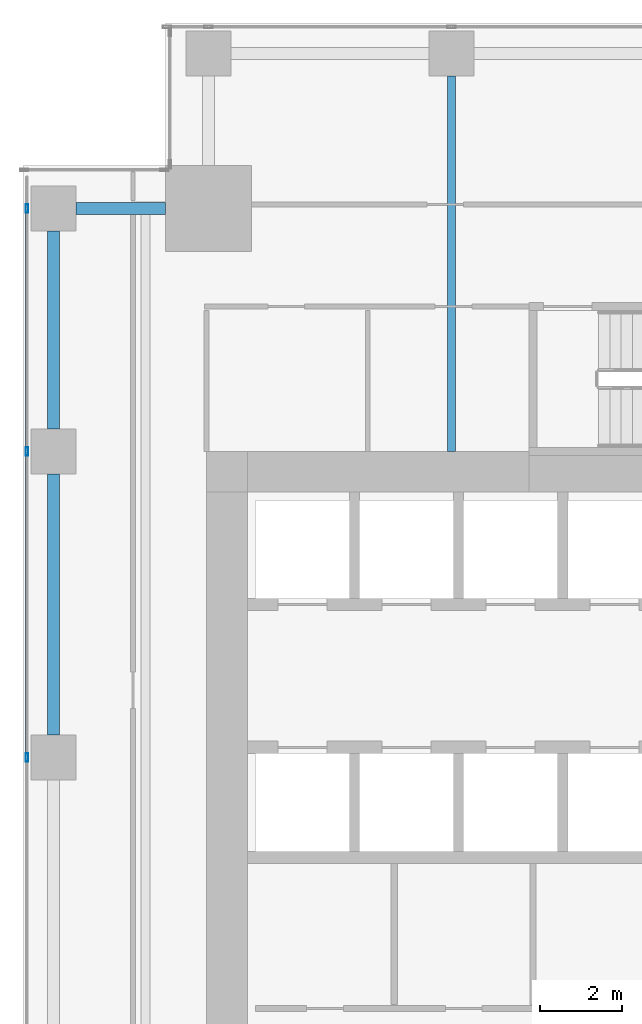
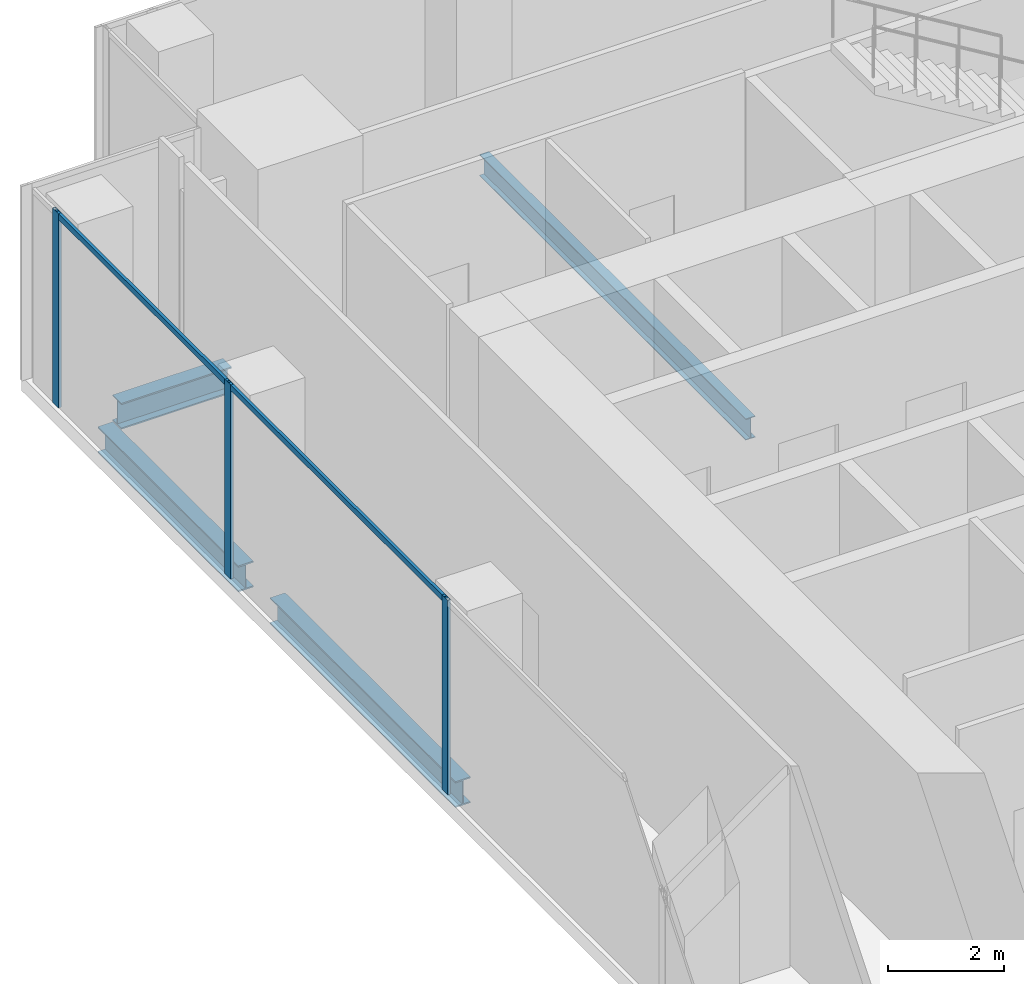
# One storey, part 14 of 34: 5 members, 4 beams, 1 element without a shape of its own.
"""IFC4 building model written with IfcOpenShell, lengths in metres."""

from ifc_helpers import new_model, si_unit, direction, frame, origin, origin_2d, place, context, subcontext, project, spatial, hollow_rectangle, i_section, extrude, source, transform, mapped, material, material_profile, profile_set, type_object, element, aggregate, save


model = new_model("IFC4")

# Units and contexts
model_context = context("Model", 3, precision=1e-05, world=origin(), true_north=direction((0.0, 1.0)))
body_context = subcontext(model_context, "Body", "Model", "MODEL_VIEW")
ifc_project = project(units=[si_unit("LENGTHUNIT", "METRE"), si_unit("AREAUNIT", "SQUARE_METRE"), si_unit("VOLUMEUNIT", "CUBIC_METRE"), si_unit("PLANEANGLEUNIT", "RADIAN"), si_unit("MASSUNIT", "GRAM", prefix="KILO")], contexts=[model_context])

# Site, building, storey
site_placement = place(None, origin())
site = spatial("IfcSite", under=ifc_project, at=site_placement, CompositionType="ELEMENT")
building_placement = place(site_placement, origin())
building = spatial("IfcBuilding", under=site, at=building_placement, Name="Khomas Fold Tower", CompositionType="ELEMENT")
storey_placement = place(building_placement, frame((0.0, 0.0, 123.5)))
storey = spatial("IfcBuildingStorey", under=building, at=storey_placement, Name="L26", CompositionType="ELEMENT", Elevation=123.5)

# Beams
ifc_material_1 = material(Name="Steel S355", Category="steel")
ifc_material_profile_1 = material_profile(ifc_material_1, i_section(OverallWidth=0.300048828125, OverallDepth=0.550048828125, WebThickness=0.014892578125, FlangeThickness=0.029052734375, at=origin_2d()), Name="HE 550 B")
ifc_profile_set_1 = profile_set([ifc_material_profile_1], Name="Steel S355")
beam_type_1 = type_object("IfcBeamType", Name="HE 550 B spandrel SB2", PredefinedType="SPANDREL", material=ifc_profile_set_1)
shared_shape_1 = source(origin(), body_context, "Body", "SweptSolid", [
    extrude(i_section(OverallWidth=0.300048828125, OverallDepth=0.550048828125, WebThickness=0.014892578125, FlangeThickness=0.029052734375, at=origin_2d()), origin(), (0.0, 0.0, 1.0), 4.849853515625),
])
beam_1_placement = place(storey_placement, frame((2.25, 42.550048828125, -0.574951171875), z_axis=(0.0, 1.0, 0.0), x_axis=(-1.0, 0.0, 0.0)))
element("IfcBeam", 1, at=beam_1_placement, inside=storey, type_object=beam_type_1, Name="SB2", PredefinedType="SPANDREL", context=body_context, shape_type="MappedRepresentation", body=[
    mapped(shared_shape_1, transform((0.0, 0.0, 0.0))),
])
shared_shape_2 = source(origin(), body_context, "Body", "SweptSolid", [
    extrude(i_section(OverallWidth=0.300048828125, OverallDepth=0.550048828125, WebThickness=0.014892578125, FlangeThickness=0.029052734375, at=origin_2d()), origin(), (0.0, 0.0, 1.0), 6.39990234375),
])
beam_2_placement = place(storey_placement, frame((2.25, 35.050048828125, -0.574951171875), z_axis=(0.0, 1.0, 0.0), x_axis=(-1.0, 0.0, 0.0)))
element("IfcBeam", 2, at=beam_2_placement, inside=storey, type_object=beam_type_1, Name="SB2", PredefinedType="SPANDREL", context=body_context, shape_type="MappedRepresentation", body=[
    mapped(shared_shape_2, transform((0.0, 0.0, 0.0))),
])
shared_shape_3 = source(origin(), body_context, "Body", "SweptSolid", [
    extrude(i_section(OverallWidth=0.300048828125, OverallDepth=0.550048828125, WebThickness=0.014892578125, FlangeThickness=0.029052734375, at=origin_2d()), origin(), (0.0, 0.0, 1.0), 2.199951171875),
])
beam_3_placement = place(storey_placement, frame((2.800048828125, 47.949951171875, -0.574951171875), z_axis=(1.0, 0.0, 0.0), x_axis=(0.0, 1.0, 0.0)))
element("IfcBeam", 3, at=beam_3_placement, inside=storey, type_object=beam_type_1, Name="SB2", PredefinedType="SPANDREL", context=body_context, shape_type="MappedRepresentation", body=[
    mapped(shared_shape_3, transform((0.0, 0.0, 0.0))),
])
ifc_material_2 = material(Name="Steel S355", Category="steel")
ifc_material_profile_2 = material_profile(ifc_material_2, i_section(OverallWidth=0.18994140625, OverallDepth=0.449951171875, WebThickness=0.009521484375, FlangeThickness=0.0146484375, at=origin_2d()), Name="IPE 450")
ifc_profile_set_2 = profile_set([ifc_material_profile_2], Name="Steel S355")
beam_type_2 = type_object("IfcBeamType", Name="IPE 450 beam JB4", PredefinedType="BEAM", material=ifc_profile_set_2)
shared_shape_4 = source(origin(), body_context, "Body", "SweptSolid", [
    extrude(i_section(OverallWidth=0.18994140625, OverallDepth=0.449951171875, WebThickness=0.009521484375, FlangeThickness=0.0146484375, at=origin_2d()), origin(), (0.0, 0.0, 1.0), 9.199951171875),
])
beam_4_placement = place(storey_placement, frame((12.0, 42.0, -0.52490234375), z_axis=(0.0, 1.0, 0.0), x_axis=(-1.0, 0.0, 0.0)))
element("IfcBeam", 4, at=beam_4_placement, inside=storey, type_object=beam_type_2, Name="JB4", PredefinedType="BEAM", context=body_context, shape_type="MappedRepresentation", body=[
    mapped(shared_shape_4, transform((0.0, 0.0, 0.0))),
])

# Curtain wall, members
ifc_material_3 = material(Name="Aluminium framed double glazing", Category="aluminium")
curtain_wall_type = type_object("IfcCurtainWallType", Name="SK-Unitised clear-glass wall, growing floors CW1", PredefinedType="NOTDEFINED", material=ifc_material_3)
curtain_wall_placement = place(storey_placement, origin())
curtain_wall = element("IfcCurtainWall", 5, at=curtain_wall_placement, inside=storey, type_object=curtain_wall_type, Name="CW1 run L26 09-0", PredefinedType="NOTDEFINED")
ifc_material_4 = material(Name="Aluminium", Category="aluminium")
ifc_material_profile_3 = material_profile(ifc_material_4, hollow_rectangle(XDim=0.06005859375, YDim=0.1201171875, WallThickness=0.00390625, at=origin_2d()), Name="SK-Unitised clear-glass wall, growing floors transom CW1-T")
ifc_profile_set_3 = profile_set([ifc_material_profile_3], Name="Aluminium")
member_type_1 = type_object("IfcMemberType", Name="SK-Unitised clear-glass wall, growing floors transom CW1-T", PredefinedType="USERDEFINED", material=ifc_profile_set_3)
shared_shape_5 = source(origin(), body_context, "Body", "SweptSolid", [
    extrude(hollow_rectangle(XDim=0.06005859375, YDim=0.1201171875, WallThickness=0.00390625, at=origin_2d()), origin(), (0.0, 0.0, 1.0), 7.43994140625),
])
member_1_placement = place(storey_placement, frame((1.60009765625, 41.969970703125, 4.0400390625), z_axis=(0.0, -1.0, 0.0), x_axis=(1.0, 0.0, 0.0)))
member_1 = element("IfcMember", 6, at=member_1_placement, type_object=member_type_1, Name="CW1 transom 3", ObjectType="TRANSOM", PredefinedType="USERDEFINED", context=body_context, shape_type="MappedRepresentation", body=[
    mapped(shared_shape_5, transform((0.0, 0.0, 0.0))),
])
ifc_material_5 = material(Name="Aluminium", Category="aluminium")
ifc_material_profile_4 = material_profile(ifc_material_5, hollow_rectangle(XDim=0.06005859375, YDim=0.199951171875, WallThickness=0.00390625, at=origin_2d()), Name="SK-Unitised clear-glass wall, growing floors mullion CW1-M")
ifc_profile_set_4 = profile_set([ifc_material_profile_4], Name="Aluminium")
member_type_2 = type_object("IfcMemberType", Name="SK-Unitised clear-glass wall, growing floors mullion CW1-M", PredefinedType="MULLION", material=ifc_profile_set_4)
shared_shape_6 = source(origin(), body_context, "Body", "SweptSolid", [
    extrude(hollow_rectangle(XDim=0.06005859375, YDim=0.199951171875, WallThickness=0.00390625, at=origin_2d()), origin(), (0.0, 0.0, 1.0), 4.10009765625),
])
member_2_placement = place(storey_placement, frame((1.60009765625, 47.949951171875, 0.0), z_axis=(0.0, 0.0, 1.0), x_axis=(1.0, 0.0, 0.0)))
member_2 = element("IfcMember", 7, at=member_2_placement, type_object=member_type_2, Name="CW1 mullion 2", PredefinedType="MULLION", context=body_context, shape_type="MappedRepresentation", body=[
    mapped(shared_shape_6, transform((0.0, 0.0, 0.0))),
])
member_3_placement = place(storey_placement, frame((1.60009765625, 42.0, 0.0), z_axis=(0.0, 0.0, 1.0), x_axis=(1.0, 0.0, 0.0)))
member_3 = element("IfcMember", 8, at=member_3_placement, type_object=member_type_2, Name="CW1 mullion 3", PredefinedType="MULLION", context=body_context, shape_type="MappedRepresentation", body=[
    mapped(shared_shape_6, transform((0.0, 0.0, 0.0))),
])
member_4_placement = place(storey_placement, frame((1.60009765625, 34.5, 0.0), z_axis=(0.0, 0.0, 1.0), x_axis=(1.0, 0.0, 0.0)))
member_4 = element("IfcMember", 9, at=member_4_placement, type_object=member_type_2, Name="CW1 mullion 4", PredefinedType="MULLION", context=body_context, shape_type="MappedRepresentation", body=[
    mapped(shared_shape_6, transform((0.0, 0.0, 0.0))),
])
shared_shape_7 = source(origin(), body_context, "Body", "SweptSolid", [
    extrude(hollow_rectangle(XDim=0.06005859375, YDim=0.1201171875, WallThickness=0.00390625, at=origin_2d()), origin(), (0.0, 0.0, 1.0), 5.889892578125),
])
member_5_placement = place(storey_placement, frame((1.60009765625, 47.919921875, 4.0400390625), z_axis=(0.0, -1.0, 0.0), x_axis=(1.0, 0.0, 0.0)))
member_5 = element("IfcMember", 10, at=member_5_placement, type_object=member_type_1, Name="CW1 transom 2", ObjectType="TRANSOM", PredefinedType="USERDEFINED", context=body_context, shape_type="MappedRepresentation", body=[
    mapped(shared_shape_7, transform((0.0, 0.0, 0.0))),
])
aggregate(curtain_wall, [member_2, member_3, member_4, member_5, member_1])

save(model, "model.ifc")
